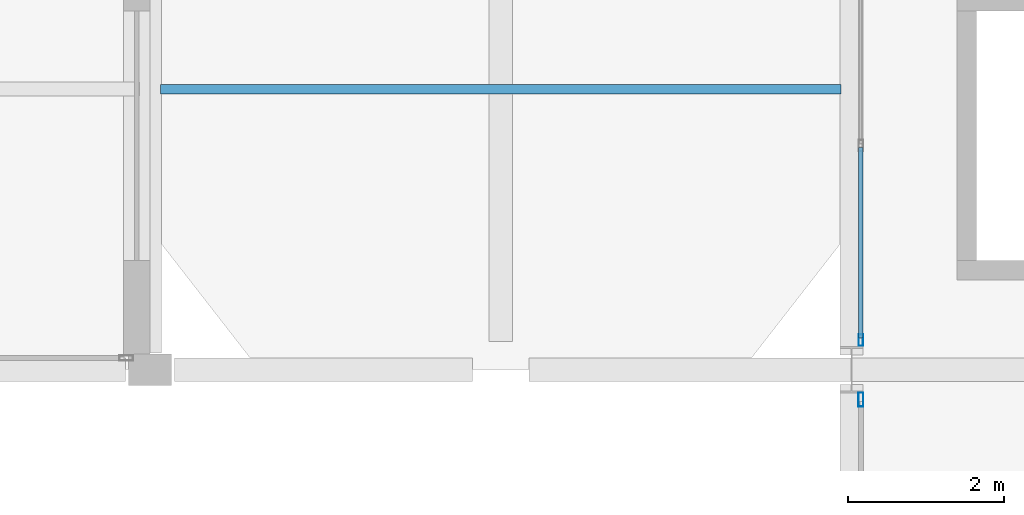
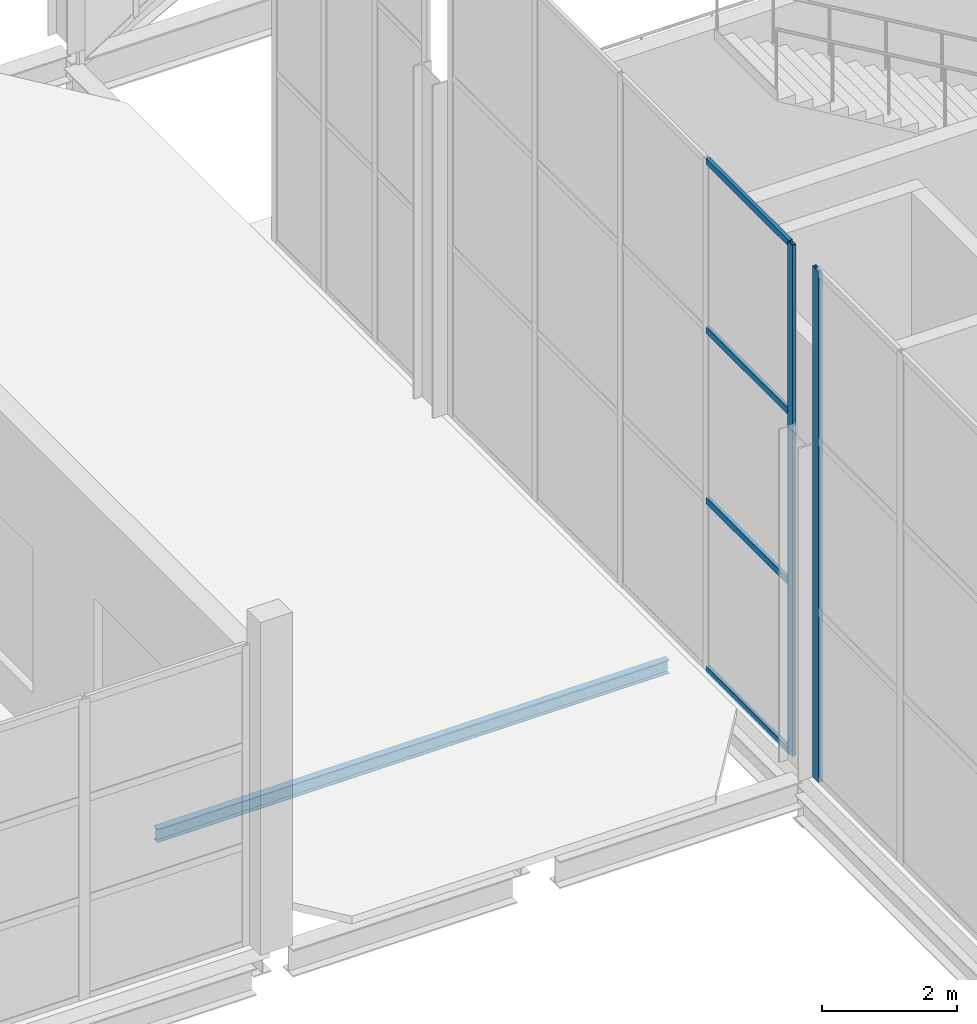
# One storey, part 83 of 191: 6 members, 1 beam, 2 elements without a shape of their own.
"""IFC4 building model written with IfcOpenShell, lengths in metres."""

from ifc_helpers import new_model, si_unit, direction, frame, origin, origin_2d, place, context, subcontext, project, spatial, hollow_rectangle, i_section, extrude, material, layer, layer_set, material_profile, profile_set, type_object, element, aggregate, save


model = new_model("IFC4")

# Units and contexts
model_context = context("Model", 3, precision=1e-05, world=origin(), true_north=direction((0.0, 1.0)))
body_context = subcontext(model_context, "Body", "Model", "MODEL_VIEW")
ifc_project = project(units=[si_unit("LENGTHUNIT", "METRE"), si_unit("AREAUNIT", "SQUARE_METRE"), si_unit("VOLUMEUNIT", "CUBIC_METRE"), si_unit("PLANEANGLEUNIT", "RADIAN"), si_unit("MASSUNIT", "GRAM", prefix="KILO")], contexts=[model_context])

# Site, building, storey
site_placement = place(None, origin())
site = spatial("IfcSite", under=ifc_project, at=site_placement, CompositionType="ELEMENT")
building_placement = place(site_placement, origin())
building = spatial("IfcBuilding", under=site, at=building_placement, Name="Tamarisk Ironworks Central Station", CompositionType="ELEMENT")
storey_placement = place(building_placement, frame((0.0, 0.0, 6.60009765625)))
storey = spatial("IfcBuildingStorey", under=building, at=storey_placement, Name="L01", CompositionType="ELEMENT", Elevation=6.60009765625)

# Beam
ifc_material_1 = material(Name="Structural steel S355J2", Category="steel")
ifc_material_profile_1 = material_profile(ifc_material_1, i_section(OverallWidth=0.1201171875, OverallDepth=0.239990234375, WebThickness=0.006103515625, FlangeThickness=0.009765625, at=origin_2d()), Name="IPE 240")
ifc_profile_set_1 = profile_set([ifc_material_profile_1], Name="Structural steel S355J2")
beam_type = type_object("IfcBeamType", Name="BM-J01", PredefinedType="JOIST", material=ifc_profile_set_1)
beam_placement = place(storey_placement, frame((45.135009765625, 93.60009765625, -0.260009765625), z_axis=(1.0, 0.0, 0.0), x_axis=(0.0, 1.0, 0.0)))
element("IfcBeam", 1, at=beam_placement, inside=storey, type_object=beam_type, Name="Forecourt canopy framing beam 001", PredefinedType="JOIST", context=body_context, shape_type="SweptSolid", body=[
    extrude(i_section(OverallWidth=0.1201171875, OverallDepth=0.239990234375, WebThickness=0.006103515625, FlangeThickness=0.009765625, at=origin_2d()), origin(), (0.0, 0.0, 1.0), 8.72998046875),
])

# Curtain wall, member
ifc_material_2 = material(Name="Anodized aluminium alloy 6063-T6", Category="aluminium")
ifc_layer_1 = layer(ifc_material_2, 0.179931640625)
ifc_layer_set_1 = layer_set([ifc_layer_1], Name="Anodized aluminium alloy 6063-T6")
curtain_wall_type_1 = type_object("IfcCurtainWallType", Name="CW-07", PredefinedType="USERDEFINED", material=ifc_layer_set_1)
curtain_wall_1_placement = place(storey_placement, origin())
curtain_wall_1 = element("IfcCurtainWall", 2, at=curtain_wall_1_placement, inside=storey, type_object=curtain_wall_type_1, Name="Concourse W track-overlook curtain wall 06", ObjectType="GLAZED CURTAIN WALL", PredefinedType="USERDEFINED")
ifc_material_profile_2 = material_profile(ifc_material_2, hollow_rectangle(XDim=0.06494140625, YDim=0.179931640625, WallThickness=0.00390625, at=origin_2d()), Name="ALUM 180x65")
ifc_profile_set_2 = profile_set([ifc_material_profile_2], Name="Anodized aluminium alloy 6063-T6")
member_type_1 = type_object("IfcMemberType", Name="CWM-02", PredefinedType="MULLION", material=ifc_profile_set_2)
member_1_placement = place(storey_placement, frame((54.1201171875, 89.617431640625, 0.0), z_axis=(0.0, 0.0, 1.0), x_axis=(-1.0, 0.0, 0.0)))
member_1 = element("IfcMember", 3, at=member_1_placement, type_object=member_type_1, Name="CW07 mullion 5", PredefinedType="MULLION", context=body_context, shape_type="SweptSolid", body=[
    extrude(hollow_rectangle(XDim=0.06494140625, YDim=0.179931640625, WallThickness=0.00390625, at=origin_2d()), origin(), (0.0, 0.0, 1.0), 9.219970703125),
])
aggregate(curtain_wall_1, [member_1])

# Curtain wall, members
ifc_layer_2 = layer(ifc_material_2, 0.179931640625)
ifc_layer_set_2 = layer_set([ifc_layer_2], Name="Anodized aluminium alloy 6063-T6")
curtain_wall_type_2 = type_object("IfcCurtainWallType", Name="CW-08", PredefinedType="USERDEFINED", material=ifc_layer_set_2)
curtain_wall_2_placement = place(storey_placement, origin())
curtain_wall_2 = element("IfcCurtainWall", 4, at=curtain_wall_2_placement, inside=storey, type_object=curtain_wall_type_2, Name="Concourse W track-overlook curtain wall 07", ObjectType="GLAZED CURTAIN WALL", PredefinedType="USERDEFINED")
ifc_material_profile_3 = material_profile(ifc_material_2, hollow_rectangle(XDim=0.06005859375, YDim=0.14990234375, WallThickness=0.00341796875, at=origin_2d()), Name="ALUM 150x60")
ifc_profile_set_3 = profile_set([ifc_material_profile_3], Name="Anodized aluminium alloy 6063-T6")
member_type_2 = type_object("IfcMemberType", Name="CWM-03", PredefinedType="MULLION", material=ifc_profile_set_3)
member_2_placement = place(storey_placement, frame((54.1201171875, 90.3798828125, 0.0), z_axis=(0.0, 0.0, 1.0), x_axis=(-1.0, 0.0, 0.0)))
member_2 = element("IfcMember", 5, at=member_2_placement, type_object=member_type_2, Name="CW08 mullion 1", PredefinedType="MULLION", context=body_context, shape_type="SweptSolid", body=[
    extrude(hollow_rectangle(XDim=0.06005859375, YDim=0.14990234375, WallThickness=0.00341796875, at=origin_2d()), origin(), (0.0, 0.0, 1.0), 9.219970703125),
])
ifc_material_profile_4 = material_profile(ifc_material_2, hollow_rectangle(XDim=0.06005859375, YDim=0.114990234375, WallThickness=0.00341796875, at=origin_2d()), Name="ALUM 115x60")
ifc_profile_set_4 = profile_set([ifc_material_profile_4], Name="Anodized aluminium alloy 6063-T6")
member_type_3 = type_object("IfcMemberType", Name="CWT-03", PredefinedType="USERDEFINED", material=ifc_profile_set_4)
member_3_placement = place(storey_placement, frame((54.1201171875, 90.406005859375, 0.02978515625), z_axis=(0.0, 1.0, 0.0), x_axis=(-1.0, 0.0, 0.0)))
member_3 = element("IfcMember", 6, at=member_3_placement, type_object=member_type_3, Name="CW08 transom 1.1", ObjectType="TRANSOM", PredefinedType="USERDEFINED", context=body_context, shape_type="SweptSolid", body=[
    extrude(hollow_rectangle(XDim=0.06005859375, YDim=0.114990234375, WallThickness=0.00341796875, at=origin_2d()), origin(), (0.0, 0.0, 1.0), 2.443115234375),
])
member_4_placement = place(storey_placement, frame((54.1201171875, 90.406005859375, 3.0732421875), z_axis=(0.0, 1.0, 0.0), x_axis=(-1.0, 0.0, 0.0)))
member_4 = element("IfcMember", 7, at=member_4_placement, type_object=member_type_3, Name="CW08 transom 1.2", ObjectType="TRANSOM", PredefinedType="USERDEFINED", context=body_context, shape_type="SweptSolid", body=[
    extrude(hollow_rectangle(XDim=0.06005859375, YDim=0.114990234375, WallThickness=0.00341796875, at=origin_2d()), origin(), (0.0, 0.0, 1.0), 2.443115234375),
])
member_5_placement = place(storey_placement, frame((54.1201171875, 90.406005859375, 6.146484375), z_axis=(0.0, 1.0, 0.0), x_axis=(-1.0, 0.0, 0.0)))
member_5 = element("IfcMember", 8, at=member_5_placement, type_object=member_type_3, Name="CW08 transom 1.3", ObjectType="TRANSOM", PredefinedType="USERDEFINED", context=body_context, shape_type="SweptSolid", body=[
    extrude(hollow_rectangle(XDim=0.06005859375, YDim=0.114990234375, WallThickness=0.00341796875, at=origin_2d()), origin(), (0.0, 0.0, 1.0), 2.443115234375),
])
member_6_placement = place(storey_placement, frame((54.1201171875, 90.406005859375, 9.18994140625), z_axis=(0.0, 1.0, 0.0), x_axis=(-1.0, 0.0, 0.0)))
member_6 = element("IfcMember", 9, at=member_6_placement, type_object=member_type_3, Name="CW08 transom 1.4", ObjectType="TRANSOM", PredefinedType="USERDEFINED", context=body_context, shape_type="SweptSolid", body=[
    extrude(hollow_rectangle(XDim=0.06005859375, YDim=0.114990234375, WallThickness=0.00341796875, at=origin_2d()), origin(), (0.0, 0.0, 1.0), 2.443115234375),
])
aggregate(curtain_wall_2, [member_2, member_3, member_4, member_5, member_6])

save(model, "model.ifc")
